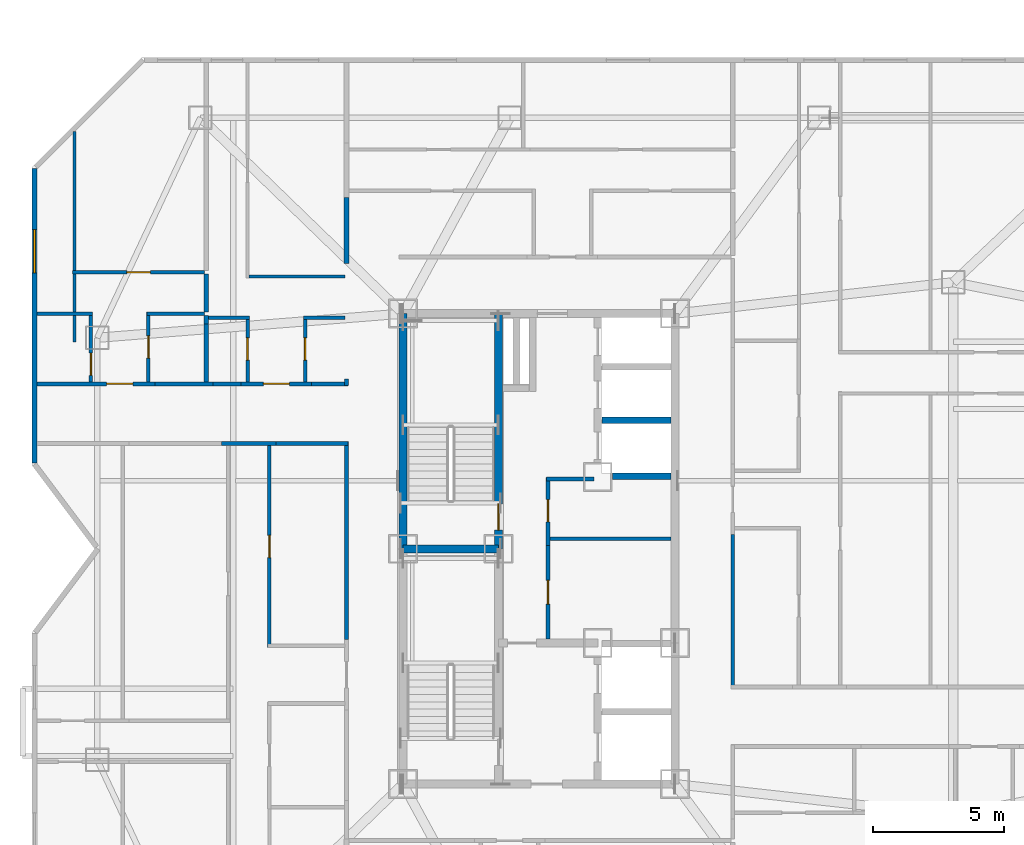
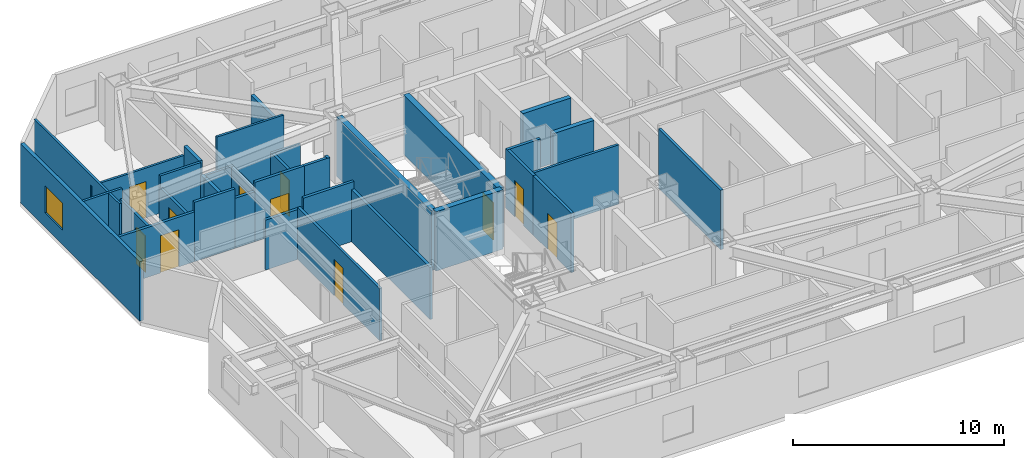
# One storey, part 7 of 12: 36 walls, 11 doors, 1 window, 12 openings.
"""IFC4 building model written with IfcOpenShell, lengths in metres."""

from ifc_helpers import new_model, si_unit, direction, frame, frame_2d, origin, place, context, subcontext, project, spatial, rectangle, extrude, material, layer, layer_set, type_object, element, fill, save


model = new_model("IFC4")

# Units and contexts
model_context = context("Model", 3, precision=1e-05, world=origin(), true_north=direction((0.0, 1.0)))
body_context = subcontext(model_context, "Body", "Model", "MODEL_VIEW")
ifc_project = project(units=[si_unit("LENGTHUNIT", "METRE"), si_unit("AREAUNIT", "SQUARE_METRE"), si_unit("VOLUMEUNIT", "CUBIC_METRE"), si_unit("PLANEANGLEUNIT", "RADIAN"), si_unit("MASSUNIT", "GRAM", prefix="KILO")], contexts=[model_context])

# Site, building, storey
site_placement = place(None, origin())
site = spatial("IfcSite", under=ifc_project, at=site_placement, CompositionType="ELEMENT")
building_placement = place(site_placement, origin())
building = spatial("IfcBuilding", under=site, at=building_placement, Name="Khamvora Tower", CompositionType="ELEMENT")
storey_placement = place(building_placement, frame((0.0, 0.0, 177.800048828125)))
storey = spatial("IfcBuildingStorey", under=building, at=storey_placement, Name="L45", CompositionType="ELEMENT", Elevation=177.800048828125)

# Wall
ifc_material_1 = material(Name="Concrete C50/60", Category="concrete")
ifc_layer_1 = layer(ifc_material_1, 0.300048828125)
ifc_layer_set_1 = layer_set([ifc_layer_1], Name="Concrete C50/60")
wall_type_1 = type_object("IfcWallType", Name="WAL-CORE-300", PredefinedType="SHEAR", material=ifc_layer_set_1)
wall_1_placement = place(storey_placement, frame((29.0, 28.0, 0.0), z_axis=(0.0, 0.0, 1.0), x_axis=(0.0, 1.0, 0.0)))
element("IfcWall", 1, at=wall_1_placement, inside=storey, type_object=wall_type_1, Name="L45 central core west north wall", PredefinedType="SHEAR", context=body_context, shape_type="SweptSolid", body=[
    extrude(rectangle(XDim=9.0, YDim=0.300048828125, at=frame_2d((4.5, 0.0))), origin(), (0.0, 0.0, 1.0), 3.429931640625),
])

# Wall, opening, door
wall_2_placement = place(storey_placement, frame((32.64990234375, 28.0, 0.0), z_axis=(0.0, 0.0, 1.0), x_axis=(0.0, 1.0, 0.0)))
wall_2 = element("IfcWall", 2, at=wall_2_placement, inside=storey, type_object=wall_type_1, Name="L45 central core stair north spine wall", PredefinedType="SHEAR", context=body_context, shape_type="SweptSolid", body=[
    extrude(rectangle(XDim=9.0, YDim=0.300048828125, at=frame_2d((4.5, 0.0))), origin(), (0.0, 0.0, 1.0), 3.429931640625),
])
opening_1_placement = place(wall_2_placement, frame((0.719970703125, 0.0, 0.0)))
opening_1 = element("IfcOpeningElement", 3, at=opening_1_placement, cuts=wall_2, Name="Opening D-ST1", PredefinedType="OPENING", context=body_context, shape_type="SweptSolid", body=[
    extrude(rectangle(XDim=1.0, YDim=2.14990234375, at=frame_2d((0.5, 1.074951171875))), frame((0.0, 0.159912109375, 0.0), z_axis=(0.0, -1.0, 0.0), x_axis=(1.0, 0.0, 0.0)), (0.0, 0.0, 1.0), 0.320068359375),
])
ifc_material_2 = material(Name="Powder-Coated Steel and Hardwood Leaf", Category="steel")
door_type_1 = type_object("IfcDoorType", Name="DOR-STAIR-1000", OperationType="NOTDEFINED", PredefinedType="DOOR", material=ifc_material_2)
door_1_placement = place(opening_1_placement, origin())
door_1 = element("IfcDoor", 4, at=door_1_placement, inside=storey, type_object=door_type_1, Name="L45 exit stair ST-02 fire door", OperationType="SINGLE_SWING_RIGHT", OverallHeight=2.14990234375, OverallWidth=1.0, PredefinedType="DOOR", context=body_context, shape_type="SweptSolid", body=[
    extrude(rectangle(XDim=1.0, YDim=2.14990234375, at=frame_2d((0.5, 1.074951171875))), frame((0.0, 0.02490234375, 0.0), z_axis=(0.0, -1.0, 0.0), x_axis=(1.0, 0.0, 0.0)), (0.0, 0.0, 1.0), 0.050048828125),
])
fill(opening_1, door_1)

# Walls
wall_3_placement = place(storey_placement, frame((29.0, 28.0, 0.0), z_axis=(0.0, 0.0, 1.0), x_axis=(1.0, 0.0, 0.0)))
element("IfcWall", 5, at=wall_3_placement, inside=storey, type_object=wall_type_1, Name="L45 central core stair cross wall", PredefinedType="SHEAR", context=body_context, shape_type="SweptSolid", body=[
    extrude(rectangle(XDim=3.64990234375, YDim=0.300048828125, at=frame_2d((1.824951171875, 0.0))), origin(), (0.0, 0.0, 1.0), 3.429931640625),
])
ifc_material_3 = material(Name="Fire-Rated Drywall and Steel Stud", Category="steel")
ifc_layer_2 = layer(ifc_material_3, 0.14990234375)
ifc_layer_set_2 = layer_set([ifc_layer_2], Name="Fire-Rated Drywall and Steel Stud")
wall_type_2 = type_object("IfcWallType", Name="WAL-CORR-150", PredefinedType="STANDARD", material=ifc_layer_set_2)
wall_4_placement = place(storey_placement, frame((36.300048828125, 30.6650390625, 0.0), z_axis=(0.0, 0.0, 1.0), x_axis=(-1.0, 0.0, 0.0)))
element("IfcWall", 6, at=wall_4_placement, inside=storey, type_object=wall_type_2, Name="L45 interior partition wall 001", PredefinedType="STANDARD", context=body_context, shape_type="SweptSolid", body=[
    extrude(rectangle(XDim=1.820068359375, YDim=0.14990234375, at=frame_2d((0.91015625, 0.0))), origin(), (0.0, 0.0, 1.0), 3.429931640625),
])

# Wall, opening, door
wall_5_placement = place(storey_placement, frame((34.544921875, 30.72998046875, 0.0), z_axis=(0.0, 0.0, 1.0), x_axis=(0.0, -1.0, 0.0)))
wall_5 = element("IfcWall", 7, at=wall_5_placement, inside=storey, type_object=wall_type_2, Name="L45 interior partition wall 002", PredefinedType="STANDARD", context=body_context, shape_type="SweptSolid", body=[
    extrude(rectangle(XDim=2.593994140625, YDim=0.14990234375, at=frame_2d((1.296875, 0.0))), origin(), (0.0, 0.0, 1.0), 3.429931640625),
])
opening_2_placement = place(wall_5_placement, frame((0.85107421875, 0.0, 0.0)))
opening_2 = element("IfcOpeningElement", 8, at=opening_2_placement, cuts=wall_5, Name="Opening D-WC1", PredefinedType="OPENING", context=body_context, shape_type="SweptSolid", body=[
    extrude(rectangle(XDim=0.85009765625, YDim=2.10009765625, at=frame_2d((0.425048828125, 1.050048828125))), frame((0.0, 0.0849609375, 0.0), z_axis=(0.0, -1.0, 0.0), x_axis=(1.0, 0.0, 0.0)), (0.0, 0.0, 1.0), 0.169921875),
])
door_type_2 = type_object("IfcDoorType", Name="DOR-WET-850", OperationType="NOTDEFINED", PredefinedType="DOOR", material=ifc_material_2)
door_2_placement = place(opening_2_placement, origin())
door_2 = element("IfcDoor", 9, at=door_2_placement, inside=storey, type_object=door_type_2, Name="L45 interior door PHL-CS1", OperationType="SINGLE_SWING_RIGHT", OverallHeight=2.10009765625, OverallWidth=0.85009765625, PredefinedType="DOOR", context=body_context, shape_type="SweptSolid", body=[
    extrude(rectangle(XDim=0.85009765625, YDim=2.10009765625, at=frame_2d((0.425048828125, 1.050048828125))), frame((0.0, 0.02490234375, 0.0), z_axis=(0.0, -1.0, 0.0), x_axis=(1.0, 0.0, 0.0)), (0.0, 0.0, 1.0), 0.050048828125),
])
fill(opening_2, door_2)

wall_6_placement = place(storey_placement, frame((34.544921875, 28.135986328125, 0.0), z_axis=(0.0, 0.0, 1.0), x_axis=(0.0, -1.0, 0.0)))
wall_6 = element("IfcWall", 10, at=wall_6_placement, inside=storey, type_object=wall_type_2, Name="L45 interior partition wall 003", PredefinedType="STANDARD", context=body_context, shape_type="SweptSolid", body=[
    extrude(rectangle(XDim=3.592041015625, YDim=0.14990234375, at=frame_2d((1.7958984375, 0.0))), origin(), (0.0, 0.0, 1.0), 3.429931640625),
])
opening_3_placement = place(wall_6_placement, frame((1.345947265625, 0.0, 0.0)))
opening_3 = element("IfcOpeningElement", 11, at=opening_3_placement, cuts=wall_6, Name="Opening D-RM1", PredefinedType="OPENING", context=body_context, shape_type="SweptSolid", body=[
    extrude(rectangle(XDim=0.89990234375, YDim=2.10009765625, at=frame_2d((0.449951171875, 1.050048828125))), frame((0.0, 0.0849609375, 0.0), z_axis=(0.0, -1.0, 0.0), x_axis=(1.0, 0.0, 0.0)), (0.0, 0.0, 1.0), 0.169921875),
])
door_type_3 = type_object("IfcDoorType", Name="DOR-ROOM-900", OperationType="NOTDEFINED", PredefinedType="DOOR", material=ifc_material_2)
door_3_placement = place(opening_3_placement, origin())
door_3 = element("IfcDoor", 12, at=door_3_placement, inside=storey, type_object=door_type_3, Name="L45 interior door PHL-CS2", OperationType="SINGLE_SWING_LEFT", OverallHeight=2.10009765625, OverallWidth=0.89990234375, PredefinedType="DOOR", context=body_context, shape_type="SweptSolid", body=[
    extrude(rectangle(XDim=0.89990234375, YDim=2.10009765625, at=frame_2d((0.449951171875, 1.050048828125))), frame((0.0, 0.02490234375, 0.0), z_axis=(0.0, -1.0, 0.0), x_axis=(1.0, 0.0, 0.0)), (0.0, 0.0, 1.0), 0.050048828125),
])
fill(opening_3, door_3)

# Walls
wall_7_placement = place(storey_placement, frame((24.138916015625, 32.034912109375, 0.0), z_axis=(0.0, 0.0, 1.0), x_axis=(-1.0, 0.0, 0.0)))
element("IfcWall", 13, at=wall_7_placement, inside=storey, type_object=wall_type_2, Name="L45 interior partition wall 007", PredefinedType="STANDARD", context=body_context, shape_type="SweptSolid", body=[
    extrude(rectangle(XDim=2.077880859375, YDim=0.14990234375, at=frame_2d((1.0390625, 0.0))), origin(), (0.0, 0.0, 1.0), 2.886962890625),
])
wall_8_placement = place(storey_placement, frame((26.8349609375, 24.532958984375, 0.0), z_axis=(0.0, 0.0, 1.0), x_axis=(0.0, 1.0, 0.0)))
element("IfcWall", 14, at=wall_8_placement, inside=storey, type_object=wall_type_2, Name="L45 interior partition wall 009", PredefinedType="STANDARD", context=body_context, shape_type="SweptSolid", body=[
    extrude(rectangle(XDim=7.567138671875, YDim=0.14990234375, at=frame_2d((3.78369140625, 0.0))), origin(), (0.0, 0.0, 1.0), 3.012939453125),
])
wall_9_placement = place(storey_placement, frame((26.89794921875, 32.034912109375, 0.0), z_axis=(0.0, 0.0, 1.0), x_axis=(-1.0, 0.0, 0.0)))
element("IfcWall", 15, at=wall_9_placement, inside=storey, type_object=wall_type_2, Name="L45 interior partition wall 010", PredefinedType="STANDARD", context=body_context, shape_type="SweptSolid", body=[
    extrude(rectangle(XDim=2.759033203125, YDim=0.14990234375, at=frame_2d((1.37939453125, 0.0))), origin(), (0.0, 0.0, 1.0), 3.429931640625),
])

# Wall, opening, door
wall_10_placement = place(storey_placement, frame((14.991943359375, 34.31494140625, 0.0), z_axis=(0.0, 0.0, 1.0), x_axis=(1.0, 0.0, 0.0)))
wall_10 = element("IfcWall", 16, at=wall_10_placement, inside=storey, type_object=wall_type_2, Name="L45 interior partition wall 013", PredefinedType="STANDARD", context=body_context, shape_type="SweptSolid", body=[
    extrude(rectangle(XDim=4.51708984375, YDim=0.14990234375, at=frame_2d((2.258544921875, 0.0))), origin(), (0.0, 0.0, 1.0), 2.8759765625),
])
opening_4_placement = place(wall_10_placement, frame((2.66796875, 0.0, 0.0)))
opening_4 = element("IfcOpeningElement", 17, at=opening_4_placement, cuts=wall_10, Name="Opening D-U1", PredefinedType="OPENING", context=body_context, shape_type="SweptSolid", body=[
    extrude(rectangle(XDim=1.0, YDim=2.14990234375, at=frame_2d((0.5, 1.074951171875))), frame((0.0, 0.0849609375, 0.0), z_axis=(0.0, -1.0, 0.0), x_axis=(1.0, 0.0, 0.0)), (0.0, 0.0, 1.0), 0.169921875),
])
door_type_4 = type_object("IfcDoorType", Name="DOR-UNIT-1000", OperationType="NOTDEFINED", PredefinedType="DOOR", material=ifc_material_2)
door_4_placement = place(opening_4_placement, origin())
door_4 = element("IfcDoor", 18, at=door_4_placement, inside=storey, type_object=door_type_4, Name="L45 interior door COR-45WBH", OperationType="SINGLE_SWING_LEFT", OverallHeight=2.14990234375, OverallWidth=1.0, PredefinedType="DOOR", context=body_context, shape_type="SweptSolid", body=[
    extrude(rectangle(XDim=1.0, YDim=2.14990234375, at=frame_2d((0.5, 1.074951171875))), frame((0.0, 0.02490234375, 0.0), z_axis=(0.0, -1.0, 0.0), x_axis=(1.0, 0.0, 0.0)), (0.0, 0.0, 1.0), 0.050048828125),
])
fill(opening_4, door_4)

# Wall
wall_11_placement = place(storey_placement, frame((19.509033203125, 34.31494140625, 0.0), z_axis=(0.0, 0.0, 1.0), x_axis=(1.0, 0.0, 0.0)))
element("IfcWall", 19, at=wall_11_placement, inside=storey, type_object=wall_type_2, Name="L45 interior partition wall 014", PredefinedType="STANDARD", context=body_context, shape_type="SweptSolid", body=[
    extrude(rectangle(XDim=2.215087890625, YDim=0.14990234375, at=frame_2d((1.107421875, 0.0))), origin(), (0.0, 0.0, 1.0), 3.429931640625),
])

# Wall, opening, door
wall_12_placement = place(storey_placement, frame((22.805908203125, 34.31494140625, 0.0), z_axis=(0.0, 0.0, 1.0), x_axis=(1.0, 0.0, 0.0)))
wall_12 = element("IfcWall", 20, at=wall_12_placement, inside=storey, type_object=wall_type_2, Name="L45 interior partition wall 015", PredefinedType="STANDARD", context=body_context, shape_type="SweptSolid", body=[
    extrude(rectangle(XDim=2.697998046875, YDim=0.14990234375, at=frame_2d((1.34912109375, 0.0))), origin(), (0.0, 0.0, 1.0), 3.429931640625),
])
opening_5_placement = place(wall_12_placement, frame((0.84912109375, 0.0, 0.0)))
opening_5 = element("IfcOpeningElement", 21, at=opening_5_placement, cuts=wall_12, Name="Opening D-U1", PredefinedType="OPENING", context=body_context, shape_type="SweptSolid", body=[
    extrude(rectangle(XDim=1.0, YDim=2.14990234375, at=frame_2d((0.5, 1.074951171875))), frame((0.0, 0.0849609375, 0.0), z_axis=(0.0, -1.0, 0.0), x_axis=(1.0, 0.0, 0.0)), (0.0, 0.0, 1.0), 0.169921875),
])
door_5_placement = place(opening_5_placement, origin())
door_5 = element("IfcDoor", 22, at=door_5_placement, inside=storey, type_object=door_type_4, Name="L45 interior door COR-45WCH", OperationType="SINGLE_SWING_RIGHT", OverallHeight=2.14990234375, OverallWidth=1.0, PredefinedType="DOOR", context=body_context, shape_type="SweptSolid", body=[
    extrude(rectangle(XDim=1.0, YDim=2.14990234375, at=frame_2d((0.5, 1.074951171875))), frame((0.0, 0.02490234375, 0.0), z_axis=(0.0, -1.0, 0.0), x_axis=(1.0, 0.0, 0.0)), (0.0, 0.0, 1.0), 0.050048828125),
])
fill(opening_5, door_5)

# Walls
wall_13_placement = place(storey_placement, frame((25.50390625, 34.31494140625, 0.0), z_axis=(0.0, 0.0, 1.0), x_axis=(1.0, 0.0, 0.0)))
element("IfcWall", 23, at=wall_13_placement, inside=storey, type_object=wall_type_2, Name="L45 interior partition wall 016", PredefinedType="STANDARD", context=body_context, shape_type="SweptSolid", body=[
    extrude(rectangle(XDim=1.39599609375, YDim=0.14990234375, at=frame_2d((0.697998046875, 0.0))), origin(), (0.0, 0.0, 1.0), 3.429931640625),
])
wall_14_placement = place(storey_placement, frame((26.8349609375, 34.25, 0.0), z_axis=(0.0, 0.0, 1.0), x_axis=(0.0, 1.0, 0.0)))
element("IfcWall", 24, at=wall_14_placement, inside=storey, type_object=wall_type_2, Name="L45 interior partition wall 017", PredefinedType="STANDARD", context=body_context, shape_type="SweptSolid", body=[
    extrude(rectangle(XDim=0.25, YDim=0.14990234375, at=frame_2d((0.125, 0.0))), origin(), (0.0, 0.0, 1.0), 3.429931640625),
])
wall_15_placement = place(storey_placement, frame((21.72412109375, 34.31494140625, 0.0), z_axis=(0.0, 0.0, 1.0), x_axis=(1.0, 0.0, 0.0)))
element("IfcWall", 25, at=wall_15_placement, inside=storey, type_object=wall_type_2, Name="L45 interior partition wall 018", PredefinedType="STANDARD", context=body_context, shape_type="SweptSolid", body=[
    extrude(rectangle(XDim=1.081787109375, YDim=0.14990234375, at=frame_2d((0.541015625, 0.0))), origin(), (0.0, 0.0, 1.0), 2.886962890625),
])
wall_16_placement = place(storey_placement, frame((41.614990234375, 28.5419921875, 0.0), z_axis=(0.0, 0.0, 1.0), x_axis=(0.0, -1.0, 0.0)))
element("IfcWall", 26, at=wall_16_placement, inside=storey, type_object=wall_type_2, Name="L45 interior partition wall 036", PredefinedType="STANDARD", context=body_context, shape_type="SweptSolid", body=[
    extrude(rectangle(XDim=5.89208984375, YDim=0.14990234375, at=frame_2d((2.946044921875, 0.0))), origin(), (0.0, 0.0, 1.0), 3.429931640625),
])
ifc_material_4 = material(Name="Acoustic Double-Stud Fire Wall", Category="gypsum")
ifc_layer_3 = layer(ifc_material_4, 0.179931640625)
ifc_layer_set_3 = layer_set([ifc_layer_3], Name="Acoustic Double-Stud Fire Wall")
wall_type_3 = type_object("IfcWallType", Name="WAL-CORR-180", PredefinedType="STANDARD", material=ifc_layer_set_3)
wall_17_placement = place(storey_placement, frame((21.47509765625, 38.51611328125, 0.0), z_axis=(0.0, 0.0, 1.0), x_axis=(0.0, -1.0, 0.0)))
element("IfcWall", 27, at=wall_17_placement, inside=storey, type_object=wall_type_3, Name="L45 interior partition wall 066", PredefinedType="STANDARD", context=body_context, shape_type="SweptSolid", body=[
    extrude(rectangle(XDim=1.4501953125, YDim=0.179931640625, at=frame_2d((0.72509765625, 0.0))), origin(), (0.0, 0.0, 1.0), 3.429931640625),
])
wall_18_placement = place(storey_placement, frame((21.47509765625, 36.93603515625, 0.0), z_axis=(0.0, 0.0, 1.0), x_axis=(0.0, -1.0, 0.0)))
element("IfcWall", 28, at=wall_18_placement, inside=storey, type_object=wall_type_3, Name="L45 interior partition wall 067", PredefinedType="STANDARD", context=body_context, shape_type="SweptSolid", body=[
    extrude(rectangle(XDim=0.340087890625, YDim=0.179931640625, at=frame_2d((0.169921875, 0.0))), origin(), (0.0, 0.0, 1.0), 2.724853515625),
])
wall_19_placement = place(storey_placement, frame((21.47509765625, 36.595947265625, 0.0), z_axis=(0.0, 0.0, 1.0), x_axis=(0.0, -1.0, 0.0)))
element("IfcWall", 29, at=wall_19_placement, inside=storey, type_object=wall_type_3, Name="L45 interior partition wall 068", PredefinedType="STANDARD", context=body_context, shape_type="SweptSolid", body=[
    extrude(rectangle(XDim=2.216064453125, YDim=0.179931640625, at=frame_2d((1.10791015625, 0.0))), origin(), (0.0, 0.0, 1.0), 2.724853515625),
])
wall_20_placement = place(storey_placement, frame((26.8349609375, 41.446044921875, 0.0), z_axis=(0.0, 0.0, 1.0), x_axis=(0.0, -1.0, 0.0)))
element("IfcWall", 30, at=wall_20_placement, inside=storey, type_object=wall_type_3, Name="L45 interior partition wall 077", PredefinedType="STANDARD", context=body_context, shape_type="SweptSolid", body=[
    extrude(rectangle(XDim=2.530029296875, YDim=0.179931640625, at=frame_2d((1.26513671875, 0.0))), origin(), (0.0, 0.0, 1.0), 2.724853515625),
])

# Wall, opening, window
ifc_material_5 = material(Name="Precast concrete C40/50", Category="concrete")
ifc_layer_4 = layer(ifc_material_5, 0.199951171875)
ifc_layer_set_4 = layer_set([ifc_layer_4], Name="Precast concrete C40/50")
wall_type_4 = type_object("IfcWallType", Name="WAL-EXT-200", PredefinedType="STANDARD", material=ifc_layer_set_4)
wall_21_placement = place(storey_placement, frame((14.89990234375, 31.283935546875, 0.0), z_axis=(0.0, 0.0, 1.0), x_axis=(0.0, 1.0, 0.0)))
wall_21 = element("IfcWall", 31, at=wall_21_placement, inside=storey, type_object=wall_type_4, Name="L45 exterior facade wall 05.1", PredefinedType="STANDARD", context=body_context, shape_type="SweptSolid", body=[
    extrude(rectangle(XDim=11.275146484375, YDim=0.199951171875, at=frame_2d((5.6376953125, 0.0))), origin(), (0.0, 0.0, 1.0), 3.429931640625),
])
opening_6_placement = place(wall_21_placement, frame((7.279052734375, 0.0, 0.85009765625)))
opening_6 = element("IfcOpeningElement", 32, at=opening_6_placement, cuts=wall_21, Name="Opening WN-06", PredefinedType="OPENING", context=body_context, shape_type="SweptSolid", body=[
    extrude(rectangle(XDim=1.64990234375, YDim=1.550048828125, at=frame_2d((0.824951171875, 0.77490234375))), frame((0.0, 0.10986328125, 0.0), z_axis=(0.0, -1.0, 0.0), x_axis=(1.0, 0.0, 0.0)), (0.0, 0.0, 1.0), 0.219970703125),
])
ifc_material_6 = material(Name="Low-E Laminated Double Glazing", Category="glass")
window_type = type_object("IfcWindowType", Name="WIN-VIS-1650x1550", PartitioningType="SINGLE_PANEL", PredefinedType="WINDOW", material=ifc_material_6)
window_placement = place(opening_6_placement, origin())
window = element("IfcWindow", 33, at=window_placement, inside=storey, type_object=window_type, Name="L45 vision window 05.1.01", OverallHeight=1.550048828125, OverallWidth=1.64990234375, PartitioningType="SINGLE_PANEL", PredefinedType="WINDOW", context=body_context, shape_type="SweptSolid", body=[
    extrude(rectangle(XDim=1.64990234375, YDim=1.550048828125, at=frame_2d((0.824951171875, 0.77490234375))), frame((0.0, 0.030029296875, 0.0), z_axis=(0.0, -1.0, 0.0), x_axis=(1.0, 0.0, 0.0)), (0.0, 0.0, 1.0), 0.06005859375),
])
fill(opening_6, window)

# Wall
ifc_material_7 = material(Name="Gypsum Plasterboard Partition", Category="gypsum")
ifc_layer_5 = layer(ifc_material_7, 0.1201171875)
ifc_layer_set_5 = layer_set([ifc_layer_5], Name="Gypsum Plasterboard Partition")
wall_type_5 = type_object("IfcWallType", Name="WAL-PART-120", PredefinedType="PARTITIONING", material=ifc_layer_set_5)
wall_22_placement = place(storey_placement, frame((16.425048828125, 43.968994140625, 0.0), z_axis=(0.0, 0.0, 1.0), x_axis=(0.0, -1.0, 0.0)))
element("IfcWall", 34, at=wall_22_placement, inside=storey, type_object=wall_type_5, Name="L45 interior partition wall 064", PredefinedType="PARTITIONING", context=body_context, shape_type="SweptSolid", body=[
    extrude(rectangle(XDim=8.052978515625, YDim=0.1201171875, at=frame_2d((4.0263671875, 0.0))), origin(), (0.0, 0.0, 1.0), 3.429931640625),
])

# Wall, opening, door
wall_23_placement = place(storey_placement, frame((16.360107421875, 38.5810546875, 0.0), z_axis=(0.0, 0.0, 1.0), x_axis=(1.0, 0.0, 0.0)))
wall_23 = element("IfcWall", 35, at=wall_23_placement, inside=storey, type_object=wall_type_5, Name="L45 interior partition wall 065", PredefinedType="PARTITIONING", context=body_context, shape_type="SweptSolid", body=[
    extrude(rectangle(XDim=5.0498046875, YDim=0.1201171875, at=frame_2d((2.52490234375, 0.0))), origin(), (0.0, 0.0, 1.0), 2.8759765625),
])
opening_7_placement = place(wall_23_placement, frame((2.074951171875, 0.0, 0.0)))
opening_7 = element("IfcOpeningElement", 36, at=opening_7_placement, cuts=wall_23, Name="Opening D-RM1", PredefinedType="OPENING", context=body_context, shape_type="SweptSolid", body=[
    extrude(rectangle(XDim=0.89990234375, YDim=2.10009765625, at=frame_2d((0.449951171875, 1.050048828125))), frame((0.0, 0.070068359375, 0.0), z_axis=(0.0, -1.0, 0.0), x_axis=(1.0, 0.0, 0.0)), (0.0, 0.0, 1.0), 0.14013671875),
])
door_6_placement = place(opening_7_placement, origin())
door_6 = element("IfcDoor", 37, at=door_6_placement, inside=storey, type_object=door_type_3, Name="L45 interior door 45WBH-45WBR1", OperationType="SINGLE_SWING_LEFT", OverallHeight=2.10009765625, OverallWidth=0.89990234375, PredefinedType="DOOR", context=body_context, shape_type="SweptSolid", body=[
    extrude(rectangle(XDim=0.89990234375, YDim=2.10009765625, at=frame_2d((0.449951171875, 1.050048828125))), frame((0.0, 0.02490234375, 0.0), z_axis=(0.0, -1.0, 0.0), x_axis=(1.0, 0.0, 0.0)), (0.0, 0.0, 1.0), 0.050048828125),
])
fill(opening_7, door_6)

# Walls
wall_24_placement = place(storey_placement, frame((23.10888671875, 38.425048828125, 0.0), z_axis=(0.0, 0.0, 1.0), x_axis=(1.0, 0.0, 0.0)))
element("IfcWall", 38, at=wall_24_placement, inside=storey, type_object=wall_type_5, Name="L45 interior partition wall 075", PredefinedType="PARTITIONING", context=body_context, shape_type="SweptSolid", body=[
    extrude(rectangle(XDim=3.6611328125, YDim=0.1201171875, at=frame_2d((1.83056640625, 0.0))), origin(), (0.0, 0.0, 1.0), 3.429931640625),
])
ifc_material_8 = material(Name="Concrete C40/50", Category="concrete")
ifc_layer_6 = layer(ifc_material_8, 0.25)
ifc_layer_set_6 = layer_set([ifc_layer_6], Name="Concrete C40/50")
wall_type_6 = type_object("IfcWallType", Name="WAL-PODS-250", PredefinedType="SHEAR", material=ifc_layer_set_6)
wall_25_placement = place(storey_placement, frame((37.00390625, 30.77490234375, 0.0), z_axis=(0.0, 0.0, 1.0), x_axis=(1.0, 0.0, 0.0)))
element("IfcWall", 39, at=wall_25_placement, inside=storey, type_object=wall_type_6, Name="L45 high-rise lift shaft south enclosure wall PH-01", PredefinedType="SHEAR", context=body_context, shape_type="SweptSolid", body=[
    extrude(rectangle(XDim=2.2421875, YDim=0.25, at=frame_2d((1.12109375, 0.0))), origin(), (0.0, 0.0, 1.0), 3.429931640625),
])
wall_26_placement = place(storey_placement, frame((36.60400390625, 32.925048828125, 0.0), z_axis=(0.0, 0.0, 1.0), x_axis=(1.0, 0.0, 0.0)))
element("IfcWall", 40, at=wall_26_placement, inside=storey, type_object=wall_type_6, Name="L45 lift shaft divider wall PH-01", PredefinedType="SHEAR", context=body_context, shape_type="SweptSolid", body=[
    extrude(rectangle(XDim=2.64208984375, YDim=0.25, at=frame_2d((1.321044921875, 0.0))), origin(), (0.0, 0.0, 1.0), 3.429931640625),
])
ifc_material_9 = material(Name="Moisture-Resistant Plasterboard Partition", Category="gypsum")
ifc_layer_7 = layer(ifc_material_9, 0.135009765625)
ifc_layer_set_7 = layer_set([ifc_layer_7], Name="Moisture-Resistant Plasterboard Partition")
wall_type_7 = type_object("IfcWallType", Name="WAL-WET-135", PredefinedType="PARTITIONING", material=ifc_layer_set_7)
wall_27_placement = place(storey_placement, frame((39.256103515625, 28.385009765625, 0.0), z_axis=(0.0, 0.0, 1.0), x_axis=(-1.0, 0.0, 0.0)))
element("IfcWall", 41, at=wall_27_placement, inside=storey, type_object=wall_type_7, Name="L45 interior partition wall 004", PredefinedType="PARTITIONING", context=body_context, shape_type="SweptSolid", body=[
    extrude(rectangle(XDim=4.64404296875, YDim=0.135009765625, at=frame_2d((2.322021484375, 0.0))), origin(), (0.0, 0.0, 1.0), 3.429931640625),
])

# Wall, opening, door
wall_28_placement = place(storey_placement, frame((23.889892578125, 31.968017578125, 0.0), z_axis=(0.0, 0.0, 1.0), x_axis=(0.0, -1.0, 0.0)))
wall_28 = element("IfcWall", 42, at=wall_28_placement, inside=storey, type_object=wall_type_7, Name="L45 interior partition wall 050", PredefinedType="PARTITIONING", context=body_context, shape_type="SweptSolid", body=[
    extrude(rectangle(XDim=7.7490234375, YDim=0.135009765625, at=frame_2d((3.87451171875, 0.0))), origin(), (0.0, 0.0, 1.0), 3.012939453125),
])
opening_8_placement = place(wall_28_placement, frame((3.449951171875, 0.0, 0.0)))
opening_8 = element("IfcOpeningElement", 43, at=opening_8_placement, cuts=wall_28, Name="Opening D-RM2", PredefinedType="OPENING", context=body_context, shape_type="SweptSolid", body=[
    extrude(rectangle(XDim=0.85009765625, YDim=2.10009765625, at=frame_2d((0.425048828125, 1.050048828125))), frame((0.0, 0.077392578125, 0.0), z_axis=(0.0, -1.0, 0.0), x_axis=(1.0, 0.0, 0.0)), (0.0, 0.0, 1.0), 0.155029296875),
])
door_type_5 = type_object("IfcDoorType", Name="DOR-ROOM-850", OperationType="NOTDEFINED", PredefinedType="DOOR", material=ifc_material_2)
door_7_placement = place(opening_8_placement, origin())
door_7 = element("IfcDoor", 44, at=door_7_placement, inside=storey, type_object=door_type_5, Name="L45 interior door 45WAH-45WAK", OperationType="SINGLE_SWING_RIGHT", OverallHeight=2.10009765625, OverallWidth=0.85009765625, PredefinedType="DOOR", context=body_context, shape_type="SweptSolid", body=[
    extrude(rectangle(XDim=0.85009765625, YDim=2.10009765625, at=frame_2d((0.425048828125, 1.050048828125))), frame((0.0, 0.02490234375, 0.0), z_axis=(0.0, -1.0, 0.0), x_axis=(1.0, 0.0, 0.0)), (0.0, 0.0, 1.0), 0.050048828125),
])
fill(opening_8, door_7)

wall_29_placement = place(storey_placement, frame((17.06005859375, 34.3798828125, 0.0), z_axis=(0.0, 0.0, 1.0), x_axis=(0.0, 1.0, 0.0)))
wall_29 = element("IfcWall", 45, at=wall_29_placement, inside=storey, type_object=wall_type_7, Name="L45 interior partition wall 060", PredefinedType="PARTITIONING", context=body_context, shape_type="SweptSolid", body=[
    extrude(rectangle(XDim=2.68603515625, YDim=0.135009765625, at=frame_2d((1.343017578125, 0.0))), origin(), (0.0, 0.0, 1.0), 2.8759765625),
])
opening_9_placement = place(wall_29_placement, frame((0.260009765625, 0.0, 0.0)))
opening_9 = element("IfcOpeningElement", 46, at=opening_9_placement, cuts=wall_29, Name="Opening D-WC1", PredefinedType="OPENING", context=body_context, shape_type="SweptSolid", body=[
    extrude(rectangle(XDim=0.85009765625, YDim=2.10009765625, at=frame_2d((0.425048828125, 1.050048828125))), frame((0.0, 0.077392578125, 0.0), z_axis=(0.0, -1.0, 0.0), x_axis=(1.0, 0.0, 0.0)), (0.0, 0.0, 1.0), 0.155029296875),
])
door_8_placement = place(opening_9_placement, origin())
door_8 = element("IfcDoor", 47, at=door_8_placement, inside=storey, type_object=door_type_2, Name="L45 interior door 45WBH-45WBB", OperationType="SINGLE_SWING_LEFT", OverallHeight=2.10009765625, OverallWidth=0.85009765625, PredefinedType="DOOR", context=body_context, shape_type="SweptSolid", body=[
    extrude(rectangle(XDim=0.85009765625, YDim=2.10009765625, at=frame_2d((0.425048828125, 1.050048828125))), frame((0.0, 0.02490234375, 0.0), z_axis=(0.0, -1.0, 0.0), x_axis=(1.0, 0.0, 0.0)), (0.0, 0.0, 1.0), 0.050048828125),
])
fill(opening_9, door_8)

# Walls
wall_30_placement = place(storey_placement, frame((17.125, 37.0009765625, 0.0), z_axis=(0.0, 0.0, 1.0), x_axis=(-1.0, 0.0, 0.0)))
element("IfcWall", 48, at=wall_30_placement, inside=storey, type_object=wall_type_7, Name="L45 interior partition wall 061", PredefinedType="PARTITIONING", context=body_context, shape_type="SweptSolid", body=[
    extrude(rectangle(XDim=2.133056640625, YDim=0.135009765625, at=frame_2d((1.06640625, 0.0))), origin(), (0.0, 0.0, 1.0), 3.429931640625),
])
wall_31_placement = place(storey_placement, frame((21.409912109375, 37.0009765625, 0.0), z_axis=(0.0, 0.0, 1.0), x_axis=(-1.0, 0.0, 0.0)))
element("IfcWall", 49, at=wall_31_placement, inside=storey, type_object=wall_type_7, Name="L45 interior partition wall 062", PredefinedType="PARTITIONING", context=body_context, shape_type="SweptSolid", body=[
    extrude(rectangle(XDim=2.21484375, YDim=0.135009765625, at=frame_2d((1.107421875, 0.0))), origin(), (0.0, 0.0, 1.0), 3.429931640625),
])

# Wall, opening, door
wall_32_placement = place(storey_placement, frame((19.260009765625, 37.06591796875, 0.0), z_axis=(0.0, 0.0, 1.0), x_axis=(0.0, -1.0, 0.0)))
wall_32 = element("IfcWall", 50, at=wall_32_placement, inside=storey, type_object=wall_type_7, Name="L45 interior partition wall 063", PredefinedType="PARTITIONING", context=body_context, shape_type="SweptSolid", body=[
    extrude(rectangle(XDim=2.68603515625, YDim=0.135009765625, at=frame_2d((1.343017578125, 0.0))), origin(), (0.0, 0.0, 1.0), 2.724853515625),
])
opening_10_placement = place(wall_32_placement, frame((0.91796875, 0.0, 0.0)))
opening_10 = element("IfcOpeningElement", 51, at=opening_10_placement, cuts=wall_32, Name="Opening D-RM2", PredefinedType="OPENING", context=body_context, shape_type="SweptSolid", body=[
    extrude(rectangle(XDim=0.85009765625, YDim=2.10009765625, at=frame_2d((0.425048828125, 1.050048828125))), frame((0.0, 0.077392578125, 0.0), z_axis=(0.0, -1.0, 0.0), x_axis=(1.0, 0.0, 0.0)), (0.0, 0.0, 1.0), 0.155029296875),
])
door_9_placement = place(opening_10_placement, origin())
door_9 = element("IfcDoor", 52, at=door_9_placement, inside=storey, type_object=door_type_5, Name="L45 interior door 45WBH-45WBK", OperationType="SINGLE_SWING_RIGHT", OverallHeight=2.10009765625, OverallWidth=0.85009765625, PredefinedType="DOOR", context=body_context, shape_type="SweptSolid", body=[
    extrude(rectangle(XDim=0.85009765625, YDim=2.10009765625, at=frame_2d((0.425048828125, 1.050048828125))), frame((0.0, 0.02490234375, 0.0), z_axis=(0.0, -1.0, 0.0), x_axis=(1.0, 0.0, 0.0)), (0.0, 0.0, 1.0), 0.050048828125),
])
fill(opening_10, door_9)

# Wall
wall_33_placement = place(storey_placement, frame((26.77001953125, 36.844970703125, 0.0), z_axis=(0.0, 0.0, 1.0), x_axis=(-1.0, 0.0, 0.0)))
element("IfcWall", 53, at=wall_33_placement, inside=storey, type_object=wall_type_7, Name="L45 interior partition wall 070", PredefinedType="PARTITIONING", context=body_context, shape_type="SweptSolid", body=[
    extrude(rectangle(XDim=1.580078125, YDim=0.135009765625, at=frame_2d((0.7900390625, 0.0))), origin(), (0.0, 0.0, 1.0), 2.724853515625),
])

# Wall, opening, door
wall_34_placement = place(storey_placement, frame((25.2548828125, 36.909912109375, 0.0), z_axis=(0.0, 0.0, 1.0), x_axis=(0.0, -1.0, 0.0)))
wall_34 = element("IfcWall", 54, at=wall_34_placement, inside=storey, type_object=wall_type_7, Name="L45 interior partition wall 071", PredefinedType="PARTITIONING", context=body_context, shape_type="SweptSolid", body=[
    extrude(rectangle(XDim=2.530029296875, YDim=0.135009765625, at=frame_2d((1.26513671875, 0.0))), origin(), (0.0, 0.0, 1.0), 2.724853515625),
])
opening_11_placement = place(wall_34_placement, frame((0.840087890625, 0.0, 0.0)))
opening_11 = element("IfcOpeningElement", 55, at=opening_11_placement, cuts=wall_34, Name="Opening D-WC1", PredefinedType="OPENING", context=body_context, shape_type="SweptSolid", body=[
    extrude(rectangle(XDim=0.85009765625, YDim=2.10009765625, at=frame_2d((0.425048828125, 1.050048828125))), frame((0.0, 0.077392578125, 0.0), z_axis=(0.0, -1.0, 0.0), x_axis=(1.0, 0.0, 0.0)), (0.0, 0.0, 1.0), 0.155029296875),
])
door_10_placement = place(opening_11_placement, origin())
door_10 = element("IfcDoor", 56, at=door_10_placement, inside=storey, type_object=door_type_2, Name="L45 interior door 45WCH-45WCB", OperationType="SINGLE_SWING_RIGHT", OverallHeight=2.10009765625, OverallWidth=0.85009765625, PredefinedType="DOOR", context=body_context, shape_type="SweptSolid", body=[
    extrude(rectangle(XDim=0.85009765625, YDim=2.10009765625, at=frame_2d((0.425048828125, 1.050048828125))), frame((0.0, 0.02490234375, 0.0), z_axis=(0.0, -1.0, 0.0), x_axis=(1.0, 0.0, 0.0)), (0.0, 0.0, 1.0), 0.050048828125),
])
fill(opening_11, door_10)

wall_35_placement = place(storey_placement, frame((23.054931640625, 34.3798828125, 0.0), z_axis=(0.0, 0.0, 1.0), x_axis=(0.0, 1.0, 0.0)))
wall_35 = element("IfcWall", 57, at=wall_35_placement, inside=storey, type_object=wall_type_7, Name="L45 interior partition wall 072", PredefinedType="PARTITIONING", context=body_context, shape_type="SweptSolid", body=[
    extrude(rectangle(XDim=2.530029296875, YDim=0.135009765625, at=frame_2d((1.26513671875, 0.0))), origin(), (0.0, 0.0, 1.0), 2.724853515625),
])
opening_12_placement = place(wall_35_placement, frame((0.840087890625, 0.0, 0.0)))
opening_12 = element("IfcOpeningElement", 58, at=opening_12_placement, cuts=wall_35, Name="Opening D-RM2", PredefinedType="OPENING", context=body_context, shape_type="SweptSolid", body=[
    extrude(rectangle(XDim=0.85009765625, YDim=2.10009765625, at=frame_2d((0.425048828125, 1.050048828125))), frame((0.0, 0.077392578125, 0.0), z_axis=(0.0, -1.0, 0.0), x_axis=(1.0, 0.0, 0.0)), (0.0, 0.0, 1.0), 0.155029296875),
])
door_11_placement = place(opening_12_placement, origin())
door_11 = element("IfcDoor", 59, at=door_11_placement, inside=storey, type_object=door_type_5, Name="L45 interior door 45WCH-45WCK", OperationType="SINGLE_SWING_LEFT", OverallHeight=2.10009765625, OverallWidth=0.85009765625, PredefinedType="DOOR", context=body_context, shape_type="SweptSolid", body=[
    extrude(rectangle(XDim=0.85009765625, YDim=2.10009765625, at=frame_2d((0.425048828125, 1.050048828125))), frame((0.0, 0.02490234375, 0.0), z_axis=(0.0, -1.0, 0.0), x_axis=(1.0, 0.0, 0.0)), (0.0, 0.0, 1.0), 0.050048828125),
])
fill(opening_12, door_11)

# Wall
wall_36_placement = place(storey_placement, frame((23.1201171875, 36.844970703125, 0.0), z_axis=(0.0, 0.0, 1.0), x_axis=(-1.0, 0.0, 0.0)))
element("IfcWall", 60, at=wall_36_placement, inside=storey, type_object=wall_type_7, Name="L45 interior partition wall 073", PredefinedType="PARTITIONING", context=body_context, shape_type="SweptSolid", body=[
    extrude(rectangle(XDim=1.563232421875, YDim=0.135009765625, at=frame_2d((0.78173828125, 0.0))), origin(), (0.0, 0.0, 1.0), 2.724853515625),
])

save(model, "model.ifc")
